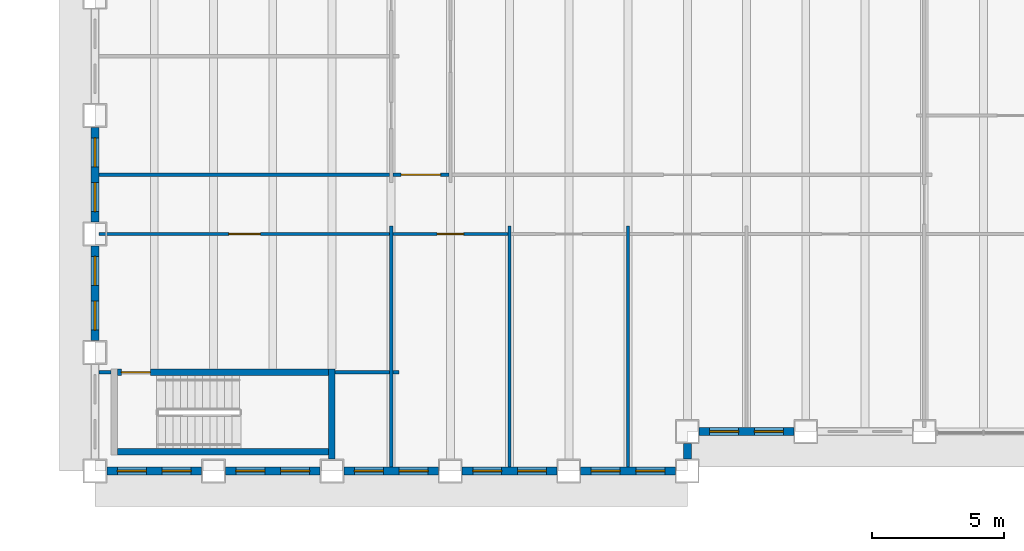
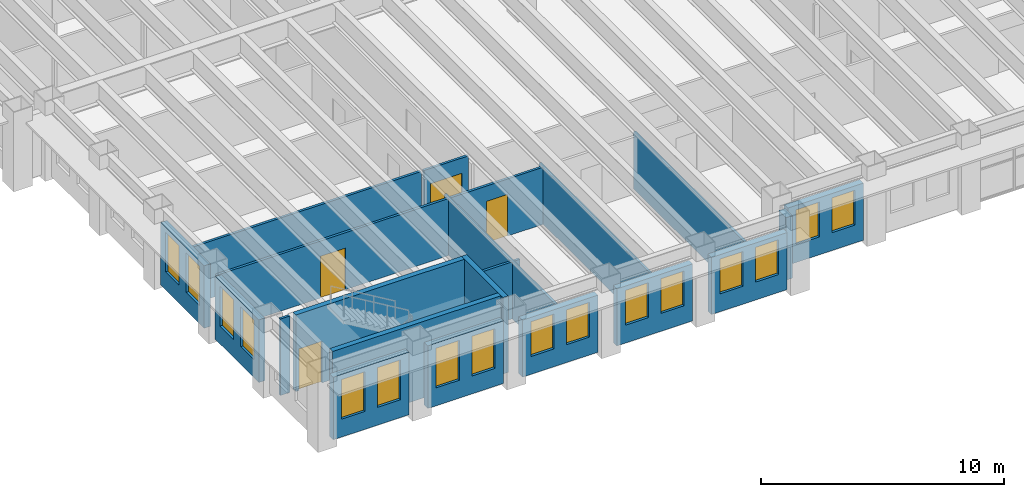
# One storey, part 5 of 17: 22 walls, 16 windows, 4 doors, 20 openings.
"""IFC4 building model written with IfcOpenShell, lengths in metres."""

from ifc_helpers import new_model, si_unit, direction, frame, frame_2d, origin, place, context, subcontext, project, spatial, rectangle, extrude, material, layer, layer_set, type_object, element, fill, save


model = new_model("IFC4")

# Units and contexts
model_context = context("Model", 3, precision=1e-05, world=origin(), true_north=direction((0.0, 1.0)))
body_context = subcontext(model_context, "Body", "Model", "MODEL_VIEW")
ifc_project = project(units=[si_unit("LENGTHUNIT", "METRE"), si_unit("AREAUNIT", "SQUARE_METRE"), si_unit("VOLUMEUNIT", "CUBIC_METRE"), si_unit("PLANEANGLEUNIT", "RADIAN"), si_unit("MASSUNIT", "GRAM", prefix="KILO")], contexts=[model_context])

# Site, building, storey
site_placement = place(None, origin())
site = spatial("IfcSite", under=ifc_project, at=site_placement, CompositionType="ELEMENT")
building_placement = place(site_placement, origin())
building = spatial("IfcBuilding", under=site, at=building_placement, Name="Sennacour Bend Tower", CompositionType="ELEMENT")
storey_placement = place(building_placement, frame((0.0, 0.0, 151.0)))
storey = spatial("IfcBuildingStorey", under=building, at=storey_placement, Name="L34", CompositionType="ELEMENT", Elevation=151.0)

# Walls
ifc_material_1 = material(Name="Plasterboard partition on steel studs", Category="steel")
ifc_layer_1 = layer(ifc_material_1, 0.1201171875, Name="Plasterboard partition on steel studs", Category="steel")
ifc_layer_set_1 = layer_set([ifc_layer_1], Name="Plasterboard partition on steel studs")
wall_type_1 = type_object("IfcWallType", Name="Partition 120", PredefinedType="PARTITIONING", material=ifc_layer_set_1)
for number, where, z_axis, x_axis, name in (
    (1, (11.25, 0.14990234375, 0.0), (0.0, 0.0, 1.0), (0.0, 1.0, 0.0), "P-L34-W013a"),
    (2, (15.75, 0.14990234375, 0.0), (0.0, 0.0, 1.0), (0.0, 1.0, 0.0), "P-L34-W020a"),
    (3, (20.25, 0.14990234375, 0.0), (0.0, 0.0, 1.0), (0.0, 1.0, 0.0), "P-L34-W024a"),
):
    element("IfcWall", number, at=place(storey_placement, frame(where, z_axis=z_axis, x_axis=x_axis)), inside=storey, type_object=wall_type_1, Name=name, PredefinedType="PARTITIONING", context=body_context, shape_type="SweptSolid", body=[
        extrude(rectangle(XDim=9.150146484375, YDim=0.1201171875, at=frame_2d((4.5751953125, 0.0))), origin(), (0.0, 0.0, 1.0), 2.8701171875),
    ])
wall_1_placement = place(storey_placement, frame((0.14990234375, 3.75, 0.0), z_axis=(0.0, 0.0, 1.0), x_axis=(1.0, 0.0, 0.0)))
element("IfcWall", 4, at=wall_1_placement, inside=storey, type_object=wall_type_1, Name="P-L34-W049a", PredefinedType="PARTITIONING", context=body_context, shape_type="SweptSolid", body=[
    extrude(rectangle(XDim=0.4501953125, YDim=0.1201171875, at=frame_2d((0.22509765625, 0.0))), origin(), (0.0, 0.0, 1.0), 3.85009765625),
])
wall_2_placement = place(storey_placement, frame((9.125, 3.75, 0.0), z_axis=(0.0, 0.0, 1.0), x_axis=(1.0, 0.0, 0.0)))
element("IfcWall", 5, at=wall_2_placement, inside=storey, type_object=wall_type_1, Name="P-L34-W051aa", PredefinedType="PARTITIONING", context=body_context, shape_type="SweptSolid", body=[
    extrude(rectangle(XDim=2.06494140625, YDim=0.1201171875, at=frame_2d((1.032470703125, 0.0))), origin(), (0.0, 0.0, 1.0), 2.8701171875),
])
wall_3_placement = place(storey_placement, frame((11.31005859375, 3.75, 0.0), z_axis=(0.0, 0.0, 1.0), x_axis=(1.0, 0.0, 0.0)))
element("IfcWall", 6, at=wall_3_placement, inside=storey, type_object=wall_type_1, Name="P-L34-W051ab", PredefinedType="PARTITIONING", context=body_context, shape_type="SweptSolid", body=[
    extrude(rectangle(XDim=0.239990234375, YDim=0.1201171875, at=frame_2d((0.1201171875, 0.0))), origin(), (0.0, 0.0, 1.0), 2.8701171875),
])

# Wall, opening, door
wall_4_placement = place(storey_placement, frame((11.31005859375, 9.0, 0.0), z_axis=(0.0, 0.0, 1.0), x_axis=(1.0, 0.0, 0.0)))
wall_4 = element("IfcWall", 7, at=wall_4_placement, inside=storey, type_object=wall_type_1, Name="P-L34-W057ab", PredefinedType="PARTITIONING", context=body_context, shape_type="SweptSolid", body=[
    extrude(rectangle(XDim=4.3798828125, YDim=0.1201171875, at=frame_2d((2.18994140625, 0.0))), origin(), (0.0, 0.0, 1.0), 2.8701171875),
])
opening_1_placement = place(wall_4_placement, frame((1.68994140625, 0.0, 0.0)))
opening_1 = element("IfcOpeningElement", 8, at=opening_1_placement, cuts=wall_4, Name="Opening OD2", PredefinedType="OPENING", context=body_context, shape_type="SweptSolid", body=[
    extrude(rectangle(XDim=1.0, YDim=2.10009765625, at=frame_2d((0.5, 1.050048828125))), frame((0.0, 0.070068359375, 0.0), z_axis=(0.0, -1.0, 0.0), x_axis=(1.0, 0.0, 0.0)), (0.0, 0.0, 1.0), 0.14013671875),
])
ifc_material_2 = material(Name="Timber", Category="wood")
door_type_1 = type_object("IfcDoorType", Name="DR-OFFICE-1000", OperationType="NOTDEFINED", PredefinedType="DOOR", material=ifc_material_2)
door_1_placement = place(opening_1_placement, origin())
door_1 = element("IfcDoor", 9, at=door_1_placement, inside=storey, type_object=door_type_1, Name="Door", OperationType="SINGLE_SWING_LEFT", OverallHeight=2.10009765625, OverallWidth=1.0, PredefinedType="DOOR", context=body_context, shape_type="SweptSolid", body=[
    extrude(rectangle(XDim=1.0, YDim=2.10009765625, at=frame_2d((0.5, 1.050048828125))), frame((0.0, 0.02490234375, 0.0), z_axis=(0.0, -1.0, 0.0), x_axis=(1.0, 0.0, 0.0)), (0.0, 0.0, 1.0), 0.050048828125),
])
fill(opening_1, door_1)

# Wall
wall_5_placement = place(storey_placement, frame((0.14990234375, 11.25, 0.0), z_axis=(0.0, 0.0, 1.0), x_axis=(1.0, 0.0, 0.0)))
element("IfcWall", 10, at=wall_5_placement, inside=storey, type_object=wall_type_1, Name="P-L34-W060aa", PredefinedType="PARTITIONING", context=body_context, shape_type="SweptSolid", body=[
    extrude(rectangle(XDim=11.0400390625, YDim=0.1201171875, at=frame_2d((5.52001953125, 0.0))), origin(), (0.0, 0.0, 1.0), 2.8701171875),
])

# Wall, opening, door
ifc_layer_2 = layer(ifc_material_1, 0.1201171875, Name="Plasterboard partition on steel studs", Category="steel")
ifc_layer_set_2 = layer_set([ifc_layer_2], Name="Plasterboard partition on steel studs")
wall_type_2 = type_object("IfcWallType", Name="Partition 120 EI 30", PredefinedType="PARTITIONING", material=ifc_layer_set_2)
wall_6_placement = place(storey_placement, frame((0.14990234375, 9.0, 0.0), z_axis=(0.0, 0.0, 1.0), x_axis=(1.0, 0.0, 0.0)))
wall_6 = element("IfcWall", 11, at=wall_6_placement, inside=storey, type_object=wall_type_2, Name="P-L34-W057aa", PredefinedType="PARTITIONING", context=body_context, shape_type="SweptSolid", body=[
    extrude(rectangle(XDim=11.0400390625, YDim=0.1201171875, at=frame_2d((5.52001953125, 0.0))), origin(), (0.0, 0.0, 1.0), 2.8701171875),
])
opening_2_placement = place(wall_6_placement, frame((4.93017578125, 0.0, 0.0)))
opening_2 = element("IfcOpeningElement", 12, at=opening_2_placement, cuts=wall_6, Name="Opening KD2", PredefinedType="OPENING", context=body_context, shape_type="SweptSolid", body=[
    extrude(rectangle(XDim=1.199951171875, YDim=2.10009765625, at=frame_2d((0.60009765625, 1.050048828125))), frame((0.0, 0.070068359375, 0.0), z_axis=(0.0, -1.0, 0.0), x_axis=(1.0, 0.0, 0.0)), (0.0, 0.0, 1.0), 0.14013671875),
])
ifc_material_3 = material(Name="Painted steel", Category="steel")
door_type_2 = type_object("IfcDoorType", Name="DR-CORRIDOR-1200", OperationType="NOTDEFINED", PredefinedType="DOOR", material=ifc_material_3)
door_2_placement = place(opening_2_placement, origin())
door_2 = element("IfcDoor", 13, at=door_2_placement, inside=storey, type_object=door_type_2, Name="Door", OperationType="SINGLE_SWING_LEFT", OverallHeight=2.10009765625, OverallWidth=1.199951171875, PredefinedType="DOOR", context=body_context, shape_type="SweptSolid", body=[
    extrude(rectangle(XDim=1.199951171875, YDim=2.10009765625, at=frame_2d((0.60009765625, 1.050048828125))), frame((0.0, 0.02490234375, 0.0), z_axis=(0.0, -1.0, 0.0), x_axis=(1.0, 0.0, 0.0)), (0.0, 0.0, 1.0), 0.050048828125),
])
fill(opening_2, door_2)

wall_7_placement = place(storey_placement, frame((11.31005859375, 11.25, 0.0), z_axis=(0.0, 0.0, 1.0), x_axis=(1.0, 0.0, 0.0)))
wall_7 = element("IfcWall", 14, at=wall_7_placement, inside=storey, type_object=wall_type_2, Name="P-L34-W060ab", PredefinedType="PARTITIONING", context=body_context, shape_type="SweptSolid", body=[
    extrude(rectangle(XDim=2.1298828125, YDim=0.1201171875, at=frame_2d((1.06494140625, 0.0))), origin(), (0.0, 0.0, 1.0), 2.8701171875),
])
opening_3_placement = place(wall_7_placement, frame((0.31494140625, 0.0, 0.0)))
opening_3 = element("IfcOpeningElement", 15, at=opening_3_placement, cuts=wall_7, Name="Opening KD", PredefinedType="OPENING", context=body_context, shape_type="SweptSolid", body=[
    extrude(rectangle(XDim=1.5, YDim=2.10009765625, at=frame_2d((0.75, 1.050048828125))), frame((0.0, 0.070068359375, 0.0), z_axis=(0.0, -1.0, 0.0), x_axis=(1.0, 0.0, 0.0)), (0.0, 0.0, 1.0), 0.14013671875),
])
door_type_3 = type_object("IfcDoorType", Name="DR-CORRIDOR-1500", OperationType="NOTDEFINED", PredefinedType="DOOR", material=ifc_material_3)
door_3_placement = place(opening_3_placement, origin())
door_3 = element("IfcDoor", 16, at=door_3_placement, inside=storey, type_object=door_type_3, Name="Door", OperationType="SINGLE_SWING_LEFT", OverallHeight=2.10009765625, OverallWidth=1.5, PredefinedType="DOOR", context=body_context, shape_type="SweptSolid", body=[
    extrude(rectangle(XDim=1.5, YDim=2.10009765625, at=frame_2d((0.75, 1.050048828125))), frame((0.0, 0.02490234375, 0.0), z_axis=(0.0, -1.0, 0.0), x_axis=(1.0, 0.0, 0.0)), (0.0, 0.0, 1.0), 0.050048828125),
])
fill(opening_3, door_3)

# Wall, openings, windows
ifc_material_4 = material(Name="Warm limestone cladding", Category="masonry")
ifc_layer_3 = layer(ifc_material_4, 0.050048828125, Name="Warm limestone cladding", Category="masonry")
ifc_material_5 = material(Name="Precast concrete C40/50", Category="concrete")
ifc_layer_4 = layer(ifc_material_5, 0.25, Name="Precast concrete C40/50", Category="concrete")
ifc_layer_set_3 = layer_set([ifc_layer_3, ifc_layer_4], Name="Precast concrete C40/50 with limestone cladding")
wall_type_3 = type_object("IfcWallType", Name="STONE-CLAD PRECAST SPANDREL 300", PredefinedType="STANDARD", material=ifc_layer_set_3)
wall_8_placement = place(storey_placement, frame((0.449951171875, 0.0, 0.0), z_axis=(0.0, 0.0, 1.0), x_axis=(1.0, 0.0, 0.0)))
wall_8 = element("IfcWall", 17, at=wall_8_placement, inside=storey, type_object=wall_type_3, Name="Stone spandrel and pier wall L34 00.00", PredefinedType="STANDARD", context=body_context, shape_type="SweptSolid", body=[
    extrude(rectangle(XDim=3.60009765625, YDim=0.300048828125, at=frame_2d((1.800048828125, 0.0))), origin(), (0.0, 0.0, 1.0), 3.14892578125),
])
opening_4_placement = place(wall_8_placement, frame((0.39990234375, 0.0, 0.89990234375)))
opening_4 = element("IfcOpeningElement", 18, at=opening_4_placement, cuts=wall_8, Name="Opening W19", PredefinedType="OPENING", context=body_context, shape_type="SweptSolid", body=[
    extrude(rectangle(XDim=1.10009765625, YDim=2.0, at=frame_2d((0.550048828125, 1.0))), frame((0.0, 0.16015625, 0.0), z_axis=(0.0, -1.0, 0.0), x_axis=(1.0, 0.0, 0.0)), (0.0, 0.0, 1.0), 0.320068359375),
])
opening_5_placement = place(wall_8_placement, frame((2.10009765625, 0.0, 0.89990234375)))
opening_5 = element("IfcOpeningElement", 19, at=opening_5_placement, cuts=wall_8, Name="Opening W19", PredefinedType="OPENING", context=body_context, shape_type="SweptSolid", body=[
    extrude(rectangle(XDim=1.10009765625, YDim=2.0, at=frame_2d((0.550048828125, 1.0))), frame((0.0, 0.16015625, 0.0), z_axis=(0.0, -1.0, 0.0), x_axis=(1.0, 0.0, 0.0)), (0.0, 0.0, 1.0), 0.320068359375),
])
ifc_material_6 = material(Name="Clear low-emissivity glass", Category="glass")
window_type_1 = type_object("IfcWindowType", Name="WIN-RIBBON-1100x2000", PartitioningType="SINGLE_PANEL", PredefinedType="WINDOW", material=ifc_material_6)
window_1_placement = place(opening_4_placement, origin())
window_1 = element("IfcWindow", 20, at=window_1_placement, inside=storey, type_object=window_type_1, Name="Ribbon window L34 00.00.0", OverallHeight=2.0, OverallWidth=1.10009765625, PartitioningType="SINGLE_PANEL", PredefinedType="WINDOW", context=body_context, shape_type="SweptSolid", body=[
    extrude(rectangle(XDim=1.10009765625, YDim=2.0, at=frame_2d((0.550048828125, 1.0))), frame((0.0, 0.030029296875, 0.0), z_axis=(0.0, -1.0, 0.0), x_axis=(1.0, 0.0, 0.0)), (0.0, 0.0, 1.0), 0.06005859375),
])
fill(opening_4, window_1)
window_2_placement = place(opening_5_placement, origin())
window_2 = element("IfcWindow", 21, at=window_2_placement, inside=storey, type_object=window_type_1, Name="Ribbon window L34 00.00.1", OverallHeight=2.0, OverallWidth=1.10009765625, PartitioningType="SINGLE_PANEL", PredefinedType="WINDOW", context=body_context, shape_type="SweptSolid", body=[
    extrude(rectangle(XDim=1.10009765625, YDim=2.0, at=frame_2d((0.550048828125, 1.0))), frame((0.0, 0.030029296875, 0.0), z_axis=(0.0, -1.0, 0.0), x_axis=(1.0, 0.0, 0.0)), (0.0, 0.0, 1.0), 0.06005859375),
])
fill(opening_5, window_2)

wall_9_placement = place(storey_placement, frame((4.949951171875, 0.0, 0.0), z_axis=(0.0, 0.0, 1.0), x_axis=(1.0, 0.0, 0.0)))
wall_9 = element("IfcWall", 22, at=wall_9_placement, inside=storey, type_object=wall_type_3, Name="Stone spandrel and pier wall L34 00.01", PredefinedType="STANDARD", context=body_context, shape_type="SweptSolid", body=[
    extrude(rectangle(XDim=3.60009765625, YDim=0.300048828125, at=frame_2d((1.800048828125, 0.0))), origin(), (0.0, 0.0, 1.0), 3.14892578125),
])
opening_6_placement = place(wall_9_placement, frame((0.39990234375, 0.0, 0.89990234375)))
opening_6 = element("IfcOpeningElement", 23, at=opening_6_placement, cuts=wall_9, Name="Opening W19", PredefinedType="OPENING", context=body_context, shape_type="SweptSolid", body=[
    extrude(rectangle(XDim=1.10009765625, YDim=2.0, at=frame_2d((0.550048828125, 1.0))), frame((0.0, 0.16015625, 0.0), z_axis=(0.0, -1.0, 0.0), x_axis=(1.0, 0.0, 0.0)), (0.0, 0.0, 1.0), 0.320068359375),
])
opening_7_placement = place(wall_9_placement, frame((2.10009765625, 0.0, 0.89990234375)))
opening_7 = element("IfcOpeningElement", 24, at=opening_7_placement, cuts=wall_9, Name="Opening W19", PredefinedType="OPENING", context=body_context, shape_type="SweptSolid", body=[
    extrude(rectangle(XDim=1.10009765625, YDim=2.0, at=frame_2d((0.550048828125, 1.0))), frame((0.0, 0.16015625, 0.0), z_axis=(0.0, -1.0, 0.0), x_axis=(1.0, 0.0, 0.0)), (0.0, 0.0, 1.0), 0.320068359375),
])
window_3_placement = place(opening_6_placement, origin())
window_3 = element("IfcWindow", 25, at=window_3_placement, inside=storey, type_object=window_type_1, Name="Ribbon window L34 00.01.0", OverallHeight=2.0, OverallWidth=1.10009765625, PartitioningType="SINGLE_PANEL", PredefinedType="WINDOW", context=body_context, shape_type="SweptSolid", body=[
    extrude(rectangle(XDim=1.10009765625, YDim=2.0, at=frame_2d((0.550048828125, 1.0))), frame((0.0, 0.030029296875, 0.0), z_axis=(0.0, -1.0, 0.0), x_axis=(1.0, 0.0, 0.0)), (0.0, 0.0, 1.0), 0.06005859375),
])
fill(opening_6, window_3)
window_4_placement = place(opening_7_placement, origin())
window_4 = element("IfcWindow", 26, at=window_4_placement, inside=storey, type_object=window_type_1, Name="Ribbon window L34 00.01.1", OverallHeight=2.0, OverallWidth=1.10009765625, PartitioningType="SINGLE_PANEL", PredefinedType="WINDOW", context=body_context, shape_type="SweptSolid", body=[
    extrude(rectangle(XDim=1.10009765625, YDim=2.0, at=frame_2d((0.550048828125, 1.0))), frame((0.0, 0.030029296875, 0.0), z_axis=(0.0, -1.0, 0.0), x_axis=(1.0, 0.0, 0.0)), (0.0, 0.0, 1.0), 0.06005859375),
])
fill(opening_7, window_4)

wall_10_placement = place(storey_placement, frame((9.449951171875, 0.0, 0.0), z_axis=(0.0, 0.0, 1.0), x_axis=(1.0, 0.0, 0.0)))
wall_10 = element("IfcWall", 27, at=wall_10_placement, inside=storey, type_object=wall_type_3, Name="Stone spandrel and pier wall L34 00.02", PredefinedType="STANDARD", context=body_context, shape_type="SweptSolid", body=[
    extrude(rectangle(XDim=3.60009765625, YDim=0.300048828125, at=frame_2d((1.800048828125, 0.0))), origin(), (0.0, 0.0, 1.0), 2.8701171875),
])
opening_8_placement = place(wall_10_placement, frame((0.39990234375, 0.0, 0.89990234375)))
opening_8 = element("IfcOpeningElement", 28, at=opening_8_placement, cuts=wall_10, Name="Opening W17", PredefinedType="OPENING", context=body_context, shape_type="SweptSolid", body=[
    extrude(rectangle(XDim=1.10009765625, YDim=1.75, at=frame_2d((0.550048828125, 0.875))), frame((0.0, 0.16015625, 0.0), z_axis=(0.0, -1.0, 0.0), x_axis=(1.0, 0.0, 0.0)), (0.0, 0.0, 1.0), 0.320068359375),
])
opening_9_placement = place(wall_10_placement, frame((2.10009765625, 0.0, 0.89990234375)))
opening_9 = element("IfcOpeningElement", 29, at=opening_9_placement, cuts=wall_10, Name="Opening W17", PredefinedType="OPENING", context=body_context, shape_type="SweptSolid", body=[
    extrude(rectangle(XDim=1.10009765625, YDim=1.75, at=frame_2d((0.550048828125, 0.875))), frame((0.0, 0.16015625, 0.0), z_axis=(0.0, -1.0, 0.0), x_axis=(1.0, 0.0, 0.0)), (0.0, 0.0, 1.0), 0.320068359375),
])
window_type_2 = type_object("IfcWindowType", Name="WIN-RIBBON-1100x1750", PartitioningType="SINGLE_PANEL", PredefinedType="WINDOW", material=ifc_material_6)
window_5_placement = place(opening_8_placement, origin())
window_5 = element("IfcWindow", 30, at=window_5_placement, inside=storey, type_object=window_type_2, Name="Ribbon window L34 00.02.0", OverallHeight=1.75, OverallWidth=1.10009765625, PartitioningType="SINGLE_PANEL", PredefinedType="WINDOW", context=body_context, shape_type="SweptSolid", body=[
    extrude(rectangle(XDim=1.10009765625, YDim=1.75, at=frame_2d((0.550048828125, 0.875))), frame((0.0, 0.030029296875, 0.0), z_axis=(0.0, -1.0, 0.0), x_axis=(1.0, 0.0, 0.0)), (0.0, 0.0, 1.0), 0.06005859375),
])
fill(opening_8, window_5)
window_6_placement = place(opening_9_placement, origin())
window_6 = element("IfcWindow", 31, at=window_6_placement, inside=storey, type_object=window_type_2, Name="Ribbon window L34 00.02.1", OverallHeight=1.75, OverallWidth=1.10009765625, PartitioningType="SINGLE_PANEL", PredefinedType="WINDOW", context=body_context, shape_type="SweptSolid", body=[
    extrude(rectangle(XDim=1.10009765625, YDim=1.75, at=frame_2d((0.550048828125, 0.875))), frame((0.0, 0.030029296875, 0.0), z_axis=(0.0, -1.0, 0.0), x_axis=(1.0, 0.0, 0.0)), (0.0, 0.0, 1.0), 0.06005859375),
])
fill(opening_9, window_6)

wall_11_placement = place(storey_placement, frame((13.949951171875, 0.0, 0.0), z_axis=(0.0, 0.0, 1.0), x_axis=(1.0, 0.0, 0.0)))
wall_11 = element("IfcWall", 32, at=wall_11_placement, inside=storey, type_object=wall_type_3, Name="Stone spandrel and pier wall L34 00.03", PredefinedType="STANDARD", context=body_context, shape_type="SweptSolid", body=[
    extrude(rectangle(XDim=3.60009765625, YDim=0.300048828125, at=frame_2d((1.800048828125, 0.0))), origin(), (0.0, 0.0, 1.0), 2.8701171875),
])
opening_10_placement = place(wall_11_placement, frame((0.39990234375, 0.0, 0.89990234375)))
opening_10 = element("IfcOpeningElement", 33, at=opening_10_placement, cuts=wall_11, Name="Opening W17", PredefinedType="OPENING", context=body_context, shape_type="SweptSolid", body=[
    extrude(rectangle(XDim=1.10009765625, YDim=1.75, at=frame_2d((0.550048828125, 0.875))), frame((0.0, 0.16015625, 0.0), z_axis=(0.0, -1.0, 0.0), x_axis=(1.0, 0.0, 0.0)), (0.0, 0.0, 1.0), 0.320068359375),
])
opening_11_placement = place(wall_11_placement, frame((2.10009765625, 0.0, 0.89990234375)))
opening_11 = element("IfcOpeningElement", 34, at=opening_11_placement, cuts=wall_11, Name="Opening W17", PredefinedType="OPENING", context=body_context, shape_type="SweptSolid", body=[
    extrude(rectangle(XDim=1.10009765625, YDim=1.75, at=frame_2d((0.550048828125, 0.875))), frame((0.0, 0.16015625, 0.0), z_axis=(0.0, -1.0, 0.0), x_axis=(1.0, 0.0, 0.0)), (0.0, 0.0, 1.0), 0.320068359375),
])
window_7_placement = place(opening_10_placement, origin())
window_7 = element("IfcWindow", 35, at=window_7_placement, inside=storey, type_object=window_type_2, Name="Ribbon window L34 00.03.0", OverallHeight=1.75, OverallWidth=1.10009765625, PartitioningType="SINGLE_PANEL", PredefinedType="WINDOW", context=body_context, shape_type="SweptSolid", body=[
    extrude(rectangle(XDim=1.10009765625, YDim=1.75, at=frame_2d((0.550048828125, 0.875))), frame((0.0, 0.030029296875, 0.0), z_axis=(0.0, -1.0, 0.0), x_axis=(1.0, 0.0, 0.0)), (0.0, 0.0, 1.0), 0.06005859375),
])
fill(opening_10, window_7)
window_8_placement = place(opening_11_placement, origin())
window_8 = element("IfcWindow", 36, at=window_8_placement, inside=storey, type_object=window_type_2, Name="Ribbon window L34 00.03.1", OverallHeight=1.75, OverallWidth=1.10009765625, PartitioningType="SINGLE_PANEL", PredefinedType="WINDOW", context=body_context, shape_type="SweptSolid", body=[
    extrude(rectangle(XDim=1.10009765625, YDim=1.75, at=frame_2d((0.550048828125, 0.875))), frame((0.0, 0.030029296875, 0.0), z_axis=(0.0, -1.0, 0.0), x_axis=(1.0, 0.0, 0.0)), (0.0, 0.0, 1.0), 0.06005859375),
])
fill(opening_11, window_8)

wall_12_placement = place(storey_placement, frame((18.449951171875, 0.0, 0.0), z_axis=(0.0, 0.0, 1.0), x_axis=(1.0, 0.0, 0.0)))
wall_12 = element("IfcWall", 37, at=wall_12_placement, inside=storey, type_object=wall_type_3, Name="Stone spandrel and pier wall L34 00.04", PredefinedType="STANDARD", context=body_context, shape_type="SweptSolid", body=[
    extrude(rectangle(XDim=3.60009765625, YDim=0.300048828125, at=frame_2d((1.800048828125, 0.0))), origin(), (0.0, 0.0, 1.0), 2.8701171875),
])
opening_12_placement = place(wall_12_placement, frame((0.39990234375, 0.0, 0.89990234375)))
opening_12 = element("IfcOpeningElement", 38, at=opening_12_placement, cuts=wall_12, Name="Opening W17", PredefinedType="OPENING", context=body_context, shape_type="SweptSolid", body=[
    extrude(rectangle(XDim=1.10009765625, YDim=1.75, at=frame_2d((0.550048828125, 0.875))), frame((0.0, 0.16015625, 0.0), z_axis=(0.0, -1.0, 0.0), x_axis=(1.0, 0.0, 0.0)), (0.0, 0.0, 1.0), 0.320068359375),
])
opening_13_placement = place(wall_12_placement, frame((2.10009765625, 0.0, 0.89990234375)))
opening_13 = element("IfcOpeningElement", 39, at=opening_13_placement, cuts=wall_12, Name="Opening W17", PredefinedType="OPENING", context=body_context, shape_type="SweptSolid", body=[
    extrude(rectangle(XDim=1.10009765625, YDim=1.75, at=frame_2d((0.550048828125, 0.875))), frame((0.0, 0.16015625, 0.0), z_axis=(0.0, -1.0, 0.0), x_axis=(1.0, 0.0, 0.0)), (0.0, 0.0, 1.0), 0.320068359375),
])
window_9_placement = place(opening_12_placement, origin())
window_9 = element("IfcWindow", 40, at=window_9_placement, inside=storey, type_object=window_type_2, Name="Ribbon window L34 00.04.0", OverallHeight=1.75, OverallWidth=1.10009765625, PartitioningType="SINGLE_PANEL", PredefinedType="WINDOW", context=body_context, shape_type="SweptSolid", body=[
    extrude(rectangle(XDim=1.10009765625, YDim=1.75, at=frame_2d((0.550048828125, 0.875))), frame((0.0, 0.030029296875, 0.0), z_axis=(0.0, -1.0, 0.0), x_axis=(1.0, 0.0, 0.0)), (0.0, 0.0, 1.0), 0.06005859375),
])
fill(opening_12, window_9)
window_10_placement = place(opening_13_placement, origin())
window_10 = element("IfcWindow", 41, at=window_10_placement, inside=storey, type_object=window_type_2, Name="Ribbon window L34 00.04.1", OverallHeight=1.75, OverallWidth=1.10009765625, PartitioningType="SINGLE_PANEL", PredefinedType="WINDOW", context=body_context, shape_type="SweptSolid", body=[
    extrude(rectangle(XDim=1.10009765625, YDim=1.75, at=frame_2d((0.550048828125, 0.875))), frame((0.0, 0.030029296875, 0.0), z_axis=(0.0, -1.0, 0.0), x_axis=(1.0, 0.0, 0.0)), (0.0, 0.0, 1.0), 0.06005859375),
])
fill(opening_13, window_10)

# Wall
wall_13_placement = place(storey_placement, frame((22.5, 0.449951171875, 0.0), z_axis=(0.0, 0.0, 1.0), x_axis=(0.0, 1.0, 0.0)))
element("IfcWall", 42, at=wall_13_placement, inside=storey, type_object=wall_type_3, Name="Stone spandrel and pier wall L34 01.00", PredefinedType="STANDARD", context=body_context, shape_type="SweptSolid", body=[
    extrude(rectangle(XDim=0.60009765625, YDim=0.300048828125, at=frame_2d((0.300048828125, 0.0))), origin(), (0.0, 0.0, 1.0), 3.14892578125),
])

# Wall, openings, windows
wall_14_placement = place(storey_placement, frame((22.949951171875, 1.5, 0.0), z_axis=(0.0, 0.0, 1.0), x_axis=(1.0, 0.0, 0.0)))
wall_14 = element("IfcWall", 43, at=wall_14_placement, inside=storey, type_object=wall_type_3, Name="Stone spandrel and pier wall L34 02.00", PredefinedType="STANDARD", context=body_context, shape_type="SweptSolid", body=[
    extrude(rectangle(XDim=3.60009765625, YDim=0.300048828125, at=frame_2d((1.800048828125, 0.0))), origin(), (0.0, 0.0, 1.0), 2.8701171875),
])
opening_14_placement = place(wall_14_placement, frame((0.39990234375, 0.0, 0.89990234375)))
opening_14 = element("IfcOpeningElement", 44, at=opening_14_placement, cuts=wall_14, Name="Opening W17", PredefinedType="OPENING", context=body_context, shape_type="SweptSolid", body=[
    extrude(rectangle(XDim=1.10009765625, YDim=1.75, at=frame_2d((0.550048828125, 0.875))), frame((0.0, 0.16015625, 0.0), z_axis=(0.0, -1.0, 0.0), x_axis=(1.0, 0.0, 0.0)), (0.0, 0.0, 1.0), 0.320068359375),
])
opening_15_placement = place(wall_14_placement, frame((2.10009765625, 0.0, 0.89990234375)))
opening_15 = element("IfcOpeningElement", 45, at=opening_15_placement, cuts=wall_14, Name="Opening W17", PredefinedType="OPENING", context=body_context, shape_type="SweptSolid", body=[
    extrude(rectangle(XDim=1.10009765625, YDim=1.75, at=frame_2d((0.550048828125, 0.875))), frame((0.0, 0.16015625, 0.0), z_axis=(0.0, -1.0, 0.0), x_axis=(1.0, 0.0, 0.0)), (0.0, 0.0, 1.0), 0.320068359375),
])
window_11_placement = place(opening_14_placement, origin())
window_11 = element("IfcWindow", 46, at=window_11_placement, inside=storey, type_object=window_type_2, Name="Ribbon window L34 02.00.0", OverallHeight=1.75, OverallWidth=1.10009765625, PartitioningType="SINGLE_PANEL", PredefinedType="WINDOW", context=body_context, shape_type="SweptSolid", body=[
    extrude(rectangle(XDim=1.10009765625, YDim=1.75, at=frame_2d((0.550048828125, 0.875))), frame((0.0, 0.030029296875, 0.0), z_axis=(0.0, -1.0, 0.0), x_axis=(1.0, 0.0, 0.0)), (0.0, 0.0, 1.0), 0.06005859375),
])
fill(opening_14, window_11)
window_12_placement = place(opening_15_placement, origin())
window_12 = element("IfcWindow", 47, at=window_12_placement, inside=storey, type_object=window_type_2, Name="Ribbon window L34 02.00.1", OverallHeight=1.75, OverallWidth=1.10009765625, PartitioningType="SINGLE_PANEL", PredefinedType="WINDOW", context=body_context, shape_type="SweptSolid", body=[
    extrude(rectangle(XDim=1.10009765625, YDim=1.75, at=frame_2d((0.550048828125, 0.875))), frame((0.0, 0.030029296875, 0.0), z_axis=(0.0, -1.0, 0.0), x_axis=(1.0, 0.0, 0.0)), (0.0, 0.0, 1.0), 0.06005859375),
])
fill(opening_15, window_12)

wall_15_placement = place(storey_placement, frame((0.0, 13.050048828125, 0.0), z_axis=(0.0, 0.0, 1.0), x_axis=(0.0, -1.0, 0.0)))
wall_15 = element("IfcWall", 48, at=wall_15_placement, inside=storey, type_object=wall_type_3, Name="Stone spandrel and pier wall L34 23.02", PredefinedType="STANDARD", context=body_context, shape_type="SweptSolid", body=[
    extrude(rectangle(XDim=3.60009765625, YDim=0.300048828125, at=frame_2d((1.800048828125, 0.0))), origin(), (0.0, 0.0, 1.0), 3.14892578125),
])
opening_16_placement = place(wall_15_placement, frame((0.39990234375, 0.0, 0.89990234375)))
opening_16 = element("IfcOpeningElement", 49, at=opening_16_placement, cuts=wall_15, Name="Opening W19", PredefinedType="OPENING", context=body_context, shape_type="SweptSolid", body=[
    extrude(rectangle(XDim=1.10009765625, YDim=2.0, at=frame_2d((0.550048828125, 1.0))), frame((0.0, 0.16015625, 0.0), z_axis=(0.0, -1.0, 0.0), x_axis=(1.0, 0.0, 0.0)), (0.0, 0.0, 1.0), 0.320068359375),
])
opening_17_placement = place(wall_15_placement, frame((2.10009765625, 0.0, 0.89990234375)))
opening_17 = element("IfcOpeningElement", 50, at=opening_17_placement, cuts=wall_15, Name="Opening W19", PredefinedType="OPENING", context=body_context, shape_type="SweptSolid", body=[
    extrude(rectangle(XDim=1.10009765625, YDim=2.0, at=frame_2d((0.550048828125, 1.0))), frame((0.0, 0.16015625, 0.0), z_axis=(0.0, -1.0, 0.0), x_axis=(1.0, 0.0, 0.0)), (0.0, 0.0, 1.0), 0.320068359375),
])
window_13_placement = place(opening_16_placement, origin())
window_13 = element("IfcWindow", 51, at=window_13_placement, inside=storey, type_object=window_type_1, Name="Ribbon window L34 23.02.0", OverallHeight=2.0, OverallWidth=1.10009765625, PartitioningType="SINGLE_PANEL", PredefinedType="WINDOW", context=body_context, shape_type="SweptSolid", body=[
    extrude(rectangle(XDim=1.10009765625, YDim=2.0, at=frame_2d((0.550048828125, 1.0))), frame((0.0, 0.030029296875, 0.0), z_axis=(0.0, -1.0, 0.0), x_axis=(1.0, 0.0, 0.0)), (0.0, 0.0, 1.0), 0.06005859375),
])
fill(opening_16, window_13)
window_14_placement = place(opening_17_placement, origin())
window_14 = element("IfcWindow", 52, at=window_14_placement, inside=storey, type_object=window_type_1, Name="Ribbon window L34 23.02.1", OverallHeight=2.0, OverallWidth=1.10009765625, PartitioningType="SINGLE_PANEL", PredefinedType="WINDOW", context=body_context, shape_type="SweptSolid", body=[
    extrude(rectangle(XDim=1.10009765625, YDim=2.0, at=frame_2d((0.550048828125, 1.0))), frame((0.0, 0.030029296875, 0.0), z_axis=(0.0, -1.0, 0.0), x_axis=(1.0, 0.0, 0.0)), (0.0, 0.0, 1.0), 0.06005859375),
])
fill(opening_17, window_14)

wall_16_placement = place(storey_placement, frame((0.0, 8.550048828125, 0.0), z_axis=(0.0, 0.0, 1.0), x_axis=(0.0, -1.0, 0.0)))
wall_16 = element("IfcWall", 53, at=wall_16_placement, inside=storey, type_object=wall_type_3, Name="Stone spandrel and pier wall L34 23.03", PredefinedType="STANDARD", context=body_context, shape_type="SweptSolid", body=[
    extrude(rectangle(XDim=3.60009765625, YDim=0.300048828125, at=frame_2d((1.800048828125, 0.0))), origin(), (0.0, 0.0, 1.0), 3.14892578125),
])
opening_18_placement = place(wall_16_placement, frame((0.39990234375, 0.0, 0.89990234375)))
opening_18 = element("IfcOpeningElement", 54, at=opening_18_placement, cuts=wall_16, Name="Opening W19", PredefinedType="OPENING", context=body_context, shape_type="SweptSolid", body=[
    extrude(rectangle(XDim=1.10009765625, YDim=2.0, at=frame_2d((0.550048828125, 1.0))), frame((0.0, 0.16015625, 0.0), z_axis=(0.0, -1.0, 0.0), x_axis=(1.0, 0.0, 0.0)), (0.0, 0.0, 1.0), 0.320068359375),
])
opening_19_placement = place(wall_16_placement, frame((2.10009765625, 0.0, 0.89990234375)))
opening_19 = element("IfcOpeningElement", 55, at=opening_19_placement, cuts=wall_16, Name="Opening W19", PredefinedType="OPENING", context=body_context, shape_type="SweptSolid", body=[
    extrude(rectangle(XDim=1.10009765625, YDim=2.0, at=frame_2d((0.550048828125, 1.0))), frame((0.0, 0.16015625, 0.0), z_axis=(0.0, -1.0, 0.0), x_axis=(1.0, 0.0, 0.0)), (0.0, 0.0, 1.0), 0.320068359375),
])
window_15_placement = place(opening_18_placement, origin())
window_15 = element("IfcWindow", 56, at=window_15_placement, inside=storey, type_object=window_type_1, Name="Ribbon window L34 23.03.0", OverallHeight=2.0, OverallWidth=1.10009765625, PartitioningType="SINGLE_PANEL", PredefinedType="WINDOW", context=body_context, shape_type="SweptSolid", body=[
    extrude(rectangle(XDim=1.10009765625, YDim=2.0, at=frame_2d((0.550048828125, 1.0))), frame((0.0, 0.030029296875, 0.0), z_axis=(0.0, -1.0, 0.0), x_axis=(1.0, 0.0, 0.0)), (0.0, 0.0, 1.0), 0.06005859375),
])
fill(opening_18, window_15)
window_16_placement = place(opening_19_placement, origin())
window_16 = element("IfcWindow", 57, at=window_16_placement, inside=storey, type_object=window_type_1, Name="Ribbon window L34 23.03.1", OverallHeight=2.0, OverallWidth=1.10009765625, PartitioningType="SINGLE_PANEL", PredefinedType="WINDOW", context=body_context, shape_type="SweptSolid", body=[
    extrude(rectangle(XDim=1.10009765625, YDim=2.0, at=frame_2d((0.550048828125, 1.0))), frame((0.0, 0.030029296875, 0.0), z_axis=(0.0, -1.0, 0.0), x_axis=(1.0, 0.0, 0.0)), (0.0, 0.0, 1.0), 0.06005859375),
])
fill(opening_19, window_16)

# Walls
ifc_material_7 = material(Name="Concrete C60/75", Category="concrete")
ifc_layer_5 = layer(ifc_material_7, 0.25, Name="Concrete C60/75", Category="concrete")
ifc_layer_set_4 = layer_set([ifc_layer_5], Name="Concrete C60/75")
wall_type_4 = type_object("IfcWallType", Name="Stair wall 250", PredefinedType="SHEAR", material=ifc_layer_set_4)
wall_17_placement = place(storey_placement, frame((9.0, 0.449951171875, 0.0), z_axis=(0.0, 0.0, 1.0), x_axis=(0.0, 1.0, 0.0)))
element("IfcWall", 58, at=wall_17_placement, inside=storey, type_object=wall_type_4, Name="P-L34-W010", PredefinedType="SHEAR", context=body_context, shape_type="SweptSolid", body=[
    extrude(rectangle(XDim=3.425048828125, YDim=0.25, at=frame_2d((1.71240234375, 0.0))), origin(), (0.0, 0.0, 1.0), 3.85009765625),
])
wall_18_placement = place(storey_placement, frame((0.85009765625, 0.72509765625, 0.0), z_axis=(0.0, 0.0, 1.0), x_axis=(1.0, 0.0, 0.0)))
element("IfcWall", 59, at=wall_18_placement, inside=storey, type_object=wall_type_4, Name="P-L34-W046", PredefinedType="SHEAR", context=body_context, shape_type="SweptSolid", body=[
    extrude(rectangle(XDim=8.02490234375, YDim=0.25, at=frame_2d((4.012451171875, 0.0))), origin(), (0.0, 0.0, 1.0), 3.85009765625),
])

# Wall, opening, door
wall_19_placement = place(storey_placement, frame((0.85009765625, 3.75, 0.0), z_axis=(0.0, 0.0, 1.0), x_axis=(1.0, 0.0, 0.0)))
wall_19 = element("IfcWall", 60, at=wall_19_placement, inside=storey, type_object=wall_type_4, Name="P-L34-W050", PredefinedType="SHEAR", context=body_context, shape_type="SweptSolid", body=[
    extrude(rectangle(XDim=8.02490234375, YDim=0.25, at=frame_2d((4.012451171875, 0.0))), origin(), (0.0, 0.0, 1.0), 3.85009765625),
])
opening_20_placement = place(wall_19_placement, frame((0.14990234375, 0.0, 0.0)))
opening_20 = element("IfcOpeningElement", 61, at=opening_20_placement, cuts=wall_19, Name="Opening SD", PredefinedType="OPENING", context=body_context, shape_type="SweptSolid", body=[
    extrude(rectangle(XDim=1.10009765625, YDim=2.10009765625, at=frame_2d((0.550048828125, 1.050048828125))), frame((0.0, 0.135009765625, 0.0), z_axis=(0.0, -1.0, 0.0), x_axis=(1.0, 0.0, 0.0)), (0.0, 0.0, 1.0), 0.27001953125),
])
door_type_4 = type_object("IfcDoorType", Name="DR-STAIR-1100", OperationType="NOTDEFINED", PredefinedType="DOOR", material=ifc_material_3)
door_4_placement = place(opening_20_placement, origin())
door_4 = element("IfcDoor", 62, at=door_4_placement, inside=storey, type_object=door_type_4, Name="Door", OperationType="SINGLE_SWING_LEFT", OverallHeight=2.10009765625, OverallWidth=1.10009765625, PredefinedType="DOOR", context=body_context, shape_type="SweptSolid", body=[
    extrude(rectangle(XDim=1.10009765625, YDim=2.10009765625, at=frame_2d((0.550048828125, 1.050048828125))), frame((0.0, 0.02490234375, 0.0), z_axis=(0.0, -1.0, 0.0), x_axis=(1.0, 0.0, 0.0)), (0.0, 0.0, 1.0), 0.050048828125),
])
fill(opening_20, door_4)

save(model, "model.ifc")
